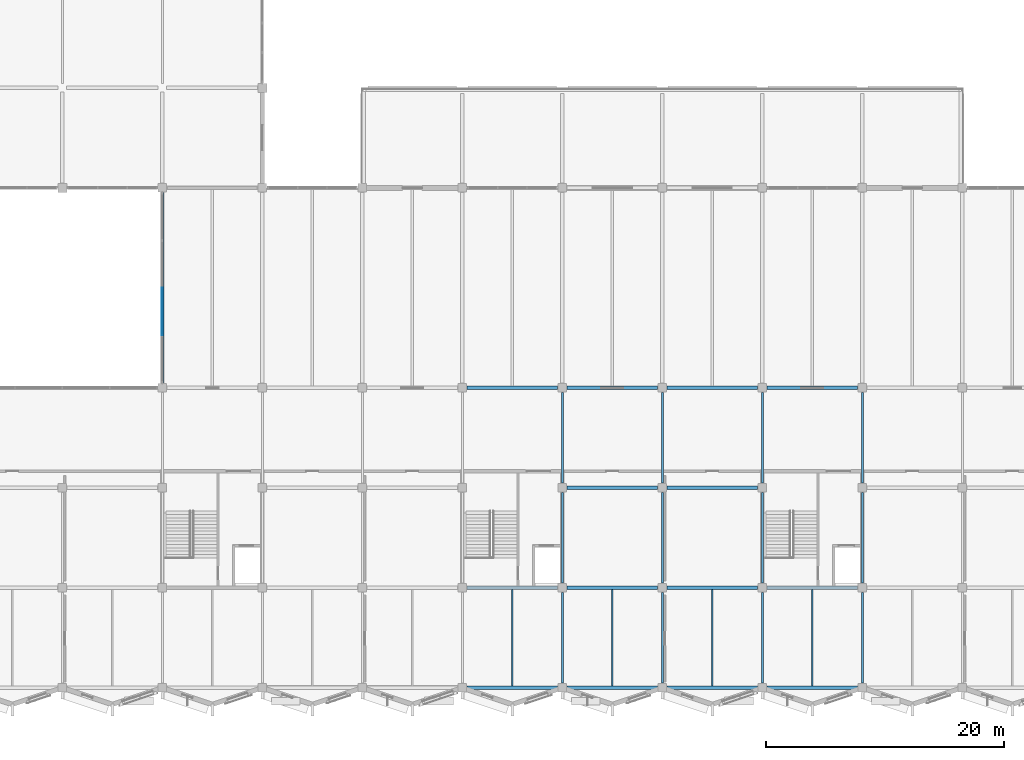
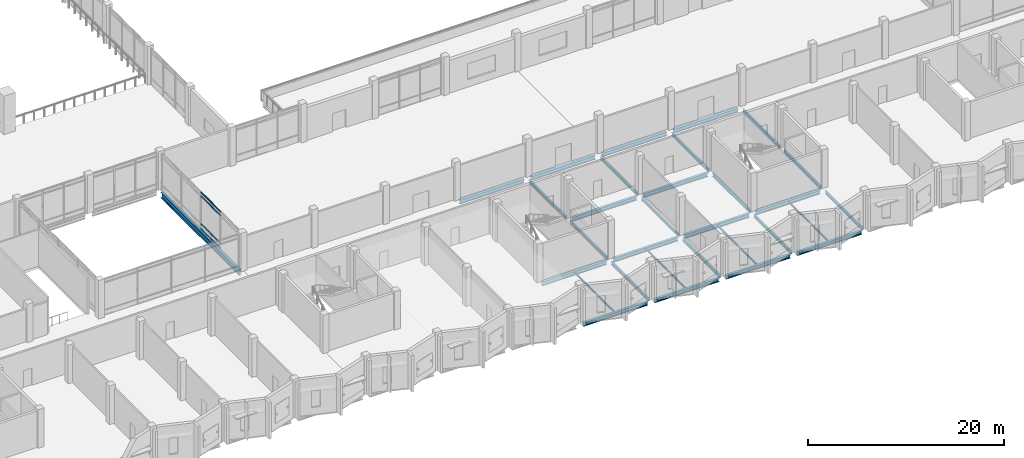
# One storey, part 8 of 110: 31 beams, 4 members, 1 element without a shape of its own.
"""IFC4 building model written with IfcOpenShell, lengths in metres."""

import ifcopenshell
import ifcopenshell.guid

model = None  # the IFC model being written
_history = None  # IfcOwnerHistory: only IFC2X3 demands one
_inside = {}  # id of a spatial element -> (the spatial element, [elements in it])
_under = {}  # id of a project, library or spatial element -> (it, [spatial elements below it])
_declared = {}  # id of a project -> (the project, [libraries it declares])
_typed = {}  # id of a type object -> (the type object, [elements of that type])
_made_of = {}  # id of a material, layer set ... -> (it, [elements and type objects made of it])


def new_model(schema):
    """Start an empty IFC model of exactly this schema.

    Asked for "IFC4X3", IfcOpenShell would pick the latest addendum, in which some entities
    have other attributes; the version numbers below select the first issue.
    IFC2X3 requires an IfcOwnerHistory on every rooted entity: one is made here for all.
    """
    global model, _history
    if schema == "IFC4X3":
        model = ifcopenshell.file(schema_version=(4, 3, 0, 0))
    else:
        model = ifcopenshell.file(schema=schema)
    _inside.clear()
    _under.clear()
    _declared.clear()
    _typed.clear()
    _made_of.clear()
    _history = None
    if model.schema == "IFC2X3":
        org = make("IfcOrganization", Name="unknown")
        user = make(
            "IfcPersonAndOrganization",
            ThePerson=make("IfcPerson", FamilyName="unknown"),
            TheOrganization=org,
        )
        app = make(
            "IfcApplication",
            ApplicationDeveloper=org,
            Version="unknown",
            ApplicationFullName="unknown",
            ApplicationIdentifier="unknown",
        )
        _history = make(
            "IfcOwnerHistory",
            OwningUser=user,
            OwningApplication=app,
            ChangeAction="ADDED",
            CreationDate=0,
        )
    return model


def make(cls, **values):
    """One entity of the class cls with the attributes given. An attribute that is None is left unset."""
    return model.create_entity(
        cls, **{name: value for name, value in values.items() if value is not None}
    )


def rooted(cls, **values):
    """An entity with a GlobalId (a new one), such as an element, a storey or a relation."""
    return make(cls, GlobalId=ifcopenshell.guid.new(), OwnerHistory=_history, **values)


def si_unit(unit_type, name, prefix=None):
    """IfcSIUnit, for example si_unit("LENGTHUNIT", "METRE", prefix="MILLI")."""
    return make("IfcSIUnit", UnitType=unit_type, Prefix=prefix, Name=name)


def assignment(units):
    """IfcUnitAssignment: the units of a project."""
    return None if units is None else make("IfcUnitAssignment", Units=units)


def point(xyz):
    """IfcCartesianPoint."""
    return None if xyz is None else make("IfcCartesianPoint", Coordinates=xyz)


def direction(xyz):
    """IfcDirection."""
    return None if xyz is None else make("IfcDirection", DirectionRatios=xyz)


def frame(location, z_axis=None, x_axis=None):
    """IfcAxis2Placement3D, a coordinate frame: its origin and axes. An axis left out is left unset."""
    return make(
        "IfcAxis2Placement3D",
        Location=point(location),
        Axis=direction(z_axis),
        RefDirection=direction(x_axis),
    )


def frame_2d(location, x_axis=None):
    """IfcAxis2Placement2D, a coordinate frame in the plane: its origin and x axis."""
    return make(
        "IfcAxis2Placement2D", Location=point(location), RefDirection=direction(x_axis)
    )


def origin():
    """The frame at (0, 0, 0) with its axes left unset."""
    return frame((0.0, 0.0, 0.0))


def origin_2d():
    """The frame at (0, 0) in the plane with its x axis left unset."""
    return frame_2d((0.0, 0.0))


def place(relative_to, where):
    """IfcLocalPlacement: puts the frame where relative to a parent placement (None: the world)."""
    return make(
        "IfcLocalPlacement", PlacementRelTo=relative_to, RelativePlacement=where
    )


def context(
    kind, dimensions, precision=None, world=None, true_north=None, identifier=None
):
    """IfcGeometricRepresentationContext, for example the 3D "Model" context."""
    return make(
        "IfcGeometricRepresentationContext",
        ContextIdentifier=identifier,
        ContextType=kind,
        CoordinateSpaceDimension=dimensions,
        Precision=precision,
        WorldCoordinateSystem=world,
        TrueNorth=true_north,
    )


def subcontext(parent, identifier, kind, view, scale=None):
    """IfcGeometricRepresentationSubContext, for example "Body" below "Model"."""
    return make(
        "IfcGeometricRepresentationSubContext",
        ContextIdentifier=identifier,
        ContextType=kind,
        ParentContext=parent,
        TargetScale=scale,
        TargetView=view,
    )


def project(units=None, contexts=None):
    """IfcProject with its units and contexts."""
    return rooted(
        "IfcProject",
        Name="project",
        RepresentationContexts=contexts,
        UnitsInContext=assignment(units),
    )


def spatial(cls, under=None, at=None, **own):
    """A site, building, storey or space (cls), placed at a placement, below another one or the project."""
    s = rooted(cls, ObjectPlacement=at, **own)
    if under is not None:
        _under.setdefault(under.id(), (under, []))[1].append(s)
    return s


def profile(cls, at=None, kind="AREA", **sizes):
    """A parametric profile (cls). Its sizes go by their IFC names, for example OverallWidth=200.0."""
    return make(cls, ProfileType=kind, Position=at, **sizes)


def rectangle(**sizes):
    """IfcRectangleProfileDef."""
    return profile("IfcRectangleProfileDef", **sizes)


def i_section(**sizes):
    """IfcIShapeProfileDef."""
    return profile("IfcIShapeProfileDef", **sizes)


def extrude(swept, where, along, depth):
    """IfcExtrudedAreaSolid: the profile swept, set in the frame where, extruded along a direction by depth."""
    return make(
        "IfcExtrudedAreaSolid",
        SweptArea=swept,
        Position=where,
        ExtrudedDirection=direction(along),
        Depth=depth,
    )


def shape(context_of_items, identifier, shape_type, items):
    """IfcShapeRepresentation: the items that make up one representation, for example the "Body"."""
    return make(
        "IfcShapeRepresentation",
        ContextOfItems=context_of_items,
        RepresentationIdentifier=identifier,
        RepresentationType=shape_type,
        Items=items,
    )


def material(Name=None, Category=None):
    """IfcMaterial."""
    return make("IfcMaterial", Name=Name, Category=Category)


def layer(
    of_material, thickness, ventilated=None, Name=None, Category=None, Priority=None
):
    """IfcMaterialLayer: one layer of a wall or slab, of a material (None: an air gap)."""
    return make(
        "IfcMaterialLayer",
        Material=of_material,
        LayerThickness=thickness,
        IsVentilated=ventilated,
        Name=Name,
        Category=Category,
        Priority=Priority,
    )


def layer_set(layers, Name=None):
    """IfcMaterialLayerSet."""
    return make("IfcMaterialLayerSet", MaterialLayers=layers, LayerSetName=Name)


def material_profile(
    of_material, cross_section, Name=None, Category=None, Priority=None
):
    """IfcMaterialProfile: a cross section and its material."""
    return make(
        "IfcMaterialProfile",
        Name=Name,
        Material=of_material,
        Profile=cross_section,
        Priority=Priority,
        Category=Category,
    )


def profile_set(profiles, Name=None, composite=None):
    """IfcMaterialProfileSet."""
    return make(
        "IfcMaterialProfileSet",
        Name=Name,
        MaterialProfiles=profiles,
        CompositeProfile=composite,
    )


def made_of(thing, what):
    """Note that an element or type object is made of a material, layer set ...; save() writes the relation."""
    if what is not None:
        _made_of.setdefault(what.id(), (what, []))[1].append(thing)
    return thing


def type_object(cls, material=None, **own):
    """A type object (cls), such as IfcWallType, which elements share."""
    return made_of(rooted(cls, **own), material)


def element(
    cls,
    number,
    at=None,
    inside=None,
    cuts=None,
    type_object=None,
    material=None,
    context=None,
    identifier="Body",
    shape_type=None,
    held_by="IfcProductDefinitionShape",
    body=None,
    shapes=None,
    **own,
):
    """One element of the class cls, such as IfcWall. Its Tag is "e" and its number.

    at: its placement. inside: the storey or other place that contains it. cuts: it is an
    opening in that element (IfcRelVoidsElement). A single representation is given by context,
    identifier, shape_type and body (its items); several are given by shapes. held_by: the class
    of the entity that holds the representations. save() writes the other relations.
    """
    e = rooted(cls, Tag="e%d" % number, ObjectPlacement=at, **own)
    if body is not None:
        shapes = [shape(context, identifier, shape_type, body)]
    if shapes is not None:
        e.Representation = make(held_by, Representations=shapes)
    if inside is not None:
        _inside.setdefault(inside.id(), (inside, []))[1].append(e)
    if cuts is not None:
        rooted(
            "IfcRelVoidsElement", RelatingBuildingElement=cuts, RelatedOpeningElement=e
        )
    if type_object is not None:
        _typed.setdefault(type_object.id(), (type_object, []))[1].append(e)
    return made_of(e, material)


def aggregate(whole, parts):
    """IfcRelAggregates: a whole, such as a stair, and the parts it consists of."""
    return rooted("IfcRelAggregates", RelatingObject=whole, RelatedObjects=parts)


def save(model, path):
    """Write the relations noted so far, then the file.

    IfcRelAggregates (storeys below a building ...), IfcRelContainedInSpatialStructure (elements
    in a storey), IfcRelDefinesByType, IfcRelAssociatesMaterial and IfcRelDeclares: one each for
    every whole, place, type object, material and project.
    """
    for whole, parts in _under.values():
        aggregate(whole, parts)
    for where, things in _inside.values():
        rooted(
            "IfcRelContainedInSpatialStructure",
            RelatedElements=things,
            RelatingStructure=where,
        )
    for kind, things in _typed.values():
        rooted("IfcRelDefinesByType", RelatedObjects=things, RelatingType=kind)
    for what, things in _made_of.values():
        rooted("IfcRelAssociatesMaterial", RelatedObjects=things, RelatingMaterial=what)
    for by, libraries in _declared.values():
        rooted("IfcRelDeclares", RelatingContext=by, RelatedDefinitions=libraries)
    model.write(path)


model = new_model("IFC4")

# Units and contexts
model_context = context("Model", 3, precision=1e-05, world=origin(), true_north=direction((0.0, 1.0)))
body_context = subcontext(model_context, "Body", "Model", "MODEL_VIEW")
ifc_project = project(units=[si_unit("LENGTHUNIT", "METRE"), si_unit("AREAUNIT", "SQUARE_METRE"), si_unit("VOLUMEUNIT", "CUBIC_METRE"), si_unit("PLANEANGLEUNIT", "RADIAN"), si_unit("MASSUNIT", "GRAM", prefix="KILO")], contexts=[model_context])

# Site, building, storey
site_placement = place(None, origin())
site = spatial("IfcSite", under=ifc_project, at=site_placement, CompositionType="ELEMENT")
building_placement = place(site_placement, origin())
building = spatial("IfcBuilding", under=site, at=building_placement, Name="Qawsi Khor Wholesale Market", CompositionType="ELEMENT")
storey_placement = place(building_placement, frame((0.0, 0.0, 11.39990234375)))
storey = spatial("IfcBuildingStorey", under=building, at=storey_placement, Name="L02", CompositionType="ELEMENT", Elevation=11.39990234375)

# Curtain wall, members
ifc_material_1 = material(Name="Aluminium Anodised Bronze", Category="aluminium")
ifc_layer = layer(ifc_material_1, 0.179931640625, Name="Aluminium Anodised Bronze")
ifc_layer_set = layer_set([ifc_layer], Name="Aluminium Anodised Bronze")
curtain_wall_type = type_object("IfcCurtainWallType", Name="Atrium Full-Height Curtain Wall CW-02", PredefinedType="NOTDEFINED", material=ifc_layer_set)
curtain_wall_placement = place(storey_placement, origin())
curtain_wall = element("IfcCurtainWall", 1, at=curtain_wall_placement, inside=storey, type_object=curtain_wall_type, Name="Curtain wall CW-CW-02-L02-025", PredefinedType="NOTDEFINED")
ifc_material_profile_1 = material_profile(ifc_material_1, rectangle(XDim=0.06494140625, YDim=0.139892578125, at=origin_2d()), Name="ALU TRANSOM 65x140")
ifc_profile_set_1 = profile_set([ifc_material_profile_1], Name="Aluminium Anodised Bronze")
member_type = type_object("IfcMemberType", Name="Curtain Wall Transom CW-02 ALU TRANSOM 65x140", PredefinedType="USERDEFINED", material=ifc_profile_set_1)
member_1_placement = place(storey_placement, frame((67.199951171875, 29.62255859375, 0.0), z_axis=(0.0, 1.0, 0.0), x_axis=(-1.0, 0.0, 0.0)))
member_1 = element("IfcMember", 2, at=member_1_placement, type_object=member_type, Name="Transom CW-CW-02-L02-025-T0_01", ObjectType="TRANSOM", PredefinedType="USERDEFINED", context=body_context, shape_type="SweptSolid", body=[
    extrude(rectangle(XDim=0.06494140625, YDim=0.139892578125, at=origin_2d()), origin(), (0.0, 0.0, 1.0), 3.9775390625),
])
member_2_placement = place(storey_placement, frame((67.199951171875, 29.62255859375, 0.60009765625), z_axis=(0.0, 1.0, 0.0), x_axis=(-1.0, 0.0, 0.0)))
member_2 = element("IfcMember", 3, at=member_2_placement, type_object=member_type, Name="Transom CW-CW-02-L02-025-T1_01", ObjectType="TRANSOM", PredefinedType="USERDEFINED", context=body_context, shape_type="SweptSolid", body=[
    extrude(rectangle(XDim=0.06494140625, YDim=0.139892578125, at=origin_2d()), origin(), (0.0, 0.0, 1.0), 3.9775390625),
])
member_3_placement = place(storey_placement, frame((67.199951171875, 29.62255859375, 4.070068359375), z_axis=(0.0, 1.0, 0.0), x_axis=(-1.0, 0.0, 0.0)))
member_3 = element("IfcMember", 4, at=member_3_placement, type_object=member_type, Name="Transom CW-CW-02-L02-025-T2_01", ObjectType="TRANSOM", PredefinedType="USERDEFINED", context=body_context, shape_type="SweptSolid", body=[
    extrude(rectangle(XDim=0.06494140625, YDim=0.139892578125, at=origin_2d()), origin(), (0.0, 0.0, 1.0), 3.9775390625),
])
member_4_placement = place(storey_placement, frame((67.199951171875, 29.62255859375, 4.52001953125), z_axis=(0.0, 1.0, 0.0), x_axis=(-1.0, 0.0, 0.0)))
member_4 = element("IfcMember", 5, at=member_4_placement, type_object=member_type, Name="Transom CW-CW-02-L02-025-T3_01", ObjectType="TRANSOM", PredefinedType="USERDEFINED", context=body_context, shape_type="SweptSolid", body=[
    extrude(rectangle(XDim=0.06494140625, YDim=0.139892578125, at=origin_2d()), origin(), (0.0, 0.0, 1.0), 3.9775390625),
])
aggregate(curtain_wall, [member_1, member_2, member_3, member_4])

# Beams
ifc_material_2 = material(Name="Steel S355", Category="steel")
ifc_material_profile_2 = material_profile(ifc_material_2, i_section(OverallWidth=0.300048828125, OverallDepth=0.449951171875, WebThickness=0.013916015625, FlangeThickness=0.02587890625, FilletRadius=0.027099609375, at=origin_2d()), Name="HEB 450")
ifc_profile_set_2 = profile_set([ifc_material_profile_2], Name="Steel S355")
beam_type_1 = type_object("IfcBeamType", Name="Heavy Edge Girder HEB 450", PredefinedType="BEAM", material=ifc_profile_set_2)
beam_1_placement = place(storey_placement, frame((92.800048828125, 0.0, -0.5048828125), z_axis=(1.0, 0.0, 0.0), x_axis=(0.0, 1.0, 0.0)))
element("IfcBeam", 6, at=beam_1_placement, inside=storey, type_object=beam_type_1, Name="BM-X-L02-11_+00", PredefinedType="BEAM", context=body_context, shape_type="SweptSolid", body=[
    extrude(i_section(OverallWidth=0.300048828125, OverallDepth=0.449951171875, WebThickness=0.013916015625, FlangeThickness=0.02587890625, FilletRadius=0.027099609375, at=origin_2d()), origin(), (0.0, 0.0, 1.0), 7.599853515625),
])
beam_2_placement = place(storey_placement, frame((101.199951171875, 0.0, -0.5048828125), z_axis=(1.0, 0.0, 0.0), x_axis=(0.0, 1.0, 0.0)))
element("IfcBeam", 7, at=beam_2_placement, inside=storey, type_object=beam_type_1, Name="BM-X-L02-12_+00", PredefinedType="BEAM", context=body_context, shape_type="SweptSolid", body=[
    extrude(i_section(OverallWidth=0.300048828125, OverallDepth=0.449951171875, WebThickness=0.013916015625, FlangeThickness=0.02587890625, FilletRadius=0.027099609375, at=origin_2d()), origin(), (0.0, 0.0, 1.0), 7.60009765625),
])
beam_3_placement = place(storey_placement, frame((109.60009765625, 0.0, -0.5048828125), z_axis=(1.0, 0.0, 0.0), x_axis=(0.0, 1.0, 0.0)))
element("IfcBeam", 8, at=beam_3_placement, inside=storey, type_object=beam_type_1, Name="BM-X-L02-13_+00", PredefinedType="BEAM", context=body_context, shape_type="SweptSolid", body=[
    extrude(i_section(OverallWidth=0.300048828125, OverallDepth=0.449951171875, WebThickness=0.013916015625, FlangeThickness=0.02587890625, FilletRadius=0.027099609375, at=origin_2d()), origin(), (0.0, 0.0, 1.0), 7.599853515625),
])
beam_4_placement = place(storey_placement, frame((118.0, 0.0, -0.5048828125), z_axis=(1.0, 0.0, 0.0), x_axis=(0.0, 1.0, 0.0)))
element("IfcBeam", 9, at=beam_4_placement, inside=storey, type_object=beam_type_1, Name="BM-X-L02-14_+00", PredefinedType="BEAM", context=body_context, shape_type="SweptSolid", body=[
    extrude(i_section(OverallWidth=0.300048828125, OverallDepth=0.449951171875, WebThickness=0.013916015625, FlangeThickness=0.02587890625, FilletRadius=0.027099609375, at=origin_2d()), origin(), (0.0, 0.0, 1.0), 7.60009765625),
])
ifc_material_profile_3 = material_profile(ifc_material_2, i_section(OverallWidth=0.300048828125, OverallDepth=0.489990234375, WebThickness=0.011962890625, FlangeThickness=0.02294921875, FilletRadius=0.027099609375, at=origin_2d()), Name="HEA 500")
ifc_profile_set_3 = profile_set([ifc_material_profile_3], Name="Steel S355")
beam_type_2 = type_object("IfcBeamType", Name="Primary Girder HEA 500", PredefinedType="BEAM", material=ifc_profile_set_3)
for number, where, z_axis, x_axis, name in (
    (10, (92.800048828125, 8.39990234375, -0.52490234375), (1.0, 0.0, 0.0), (0.0, 1.0, 0.0), "BM-X-L02-11_+01"),
    (11, (92.800048828125, 25.199951171875, -0.52490234375), (1.0, 0.0, 0.0), (0.0, 1.0, 0.0), "BM-X-L02-11_+03"),
):
    element("IfcBeam", number, at=place(storey_placement, frame(where, z_axis=z_axis, x_axis=x_axis)), inside=storey, type_object=beam_type_2, Name=name, PredefinedType="BEAM", context=body_context, shape_type="SweptSolid", body=[
        extrude(i_section(OverallWidth=0.300048828125, OverallDepth=0.489990234375, WebThickness=0.011962890625, FlangeThickness=0.02294921875, FilletRadius=0.027099609375, at=origin_2d()), origin(), (0.0, 0.0, 1.0), 7.599853515625),
    ])
for number, where, z_axis, x_axis, name in (
    (12, (101.199951171875, 8.39990234375, -0.52490234375), (1.0, 0.0, 0.0), (0.0, 1.0, 0.0), "BM-X-L02-12_+01"),
    (13, (101.199951171875, 16.800048828125, -0.52490234375), (1.0, 0.0, 0.0), (0.0, 1.0, 0.0), "BM-X-L02-12_+02"),
    (14, (101.199951171875, 25.199951171875, -0.52490234375), (1.0, 0.0, 0.0), (0.0, 1.0, 0.0), "BM-X-L02-12_+03"),
):
    element("IfcBeam", number, at=place(storey_placement, frame(where, z_axis=z_axis, x_axis=x_axis)), inside=storey, type_object=beam_type_2, Name=name, PredefinedType="BEAM", context=body_context, shape_type="SweptSolid", body=[
        extrude(i_section(OverallWidth=0.300048828125, OverallDepth=0.489990234375, WebThickness=0.011962890625, FlangeThickness=0.02294921875, FilletRadius=0.027099609375, at=origin_2d()), origin(), (0.0, 0.0, 1.0), 7.60009765625),
    ])
for number, where, z_axis, x_axis, name in (
    (15, (109.60009765625, 8.39990234375, -0.52490234375), (1.0, 0.0, 0.0), (0.0, 1.0, 0.0), "BM-X-L02-13_+01"),
    (16, (109.60009765625, 16.800048828125, -0.52490234375), (1.0, 0.0, 0.0), (0.0, 1.0, 0.0), "BM-X-L02-13_+02"),
    (17, (109.60009765625, 25.199951171875, -0.52490234375), (1.0, 0.0, 0.0), (0.0, 1.0, 0.0), "BM-X-L02-13_+03"),
):
    element("IfcBeam", number, at=place(storey_placement, frame(where, z_axis=z_axis, x_axis=x_axis)), inside=storey, type_object=beam_type_2, Name=name, PredefinedType="BEAM", context=body_context, shape_type="SweptSolid", body=[
        extrude(i_section(OverallWidth=0.300048828125, OverallDepth=0.489990234375, WebThickness=0.011962890625, FlangeThickness=0.02294921875, FilletRadius=0.027099609375, at=origin_2d()), origin(), (0.0, 0.0, 1.0), 7.599853515625),
    ])
for number, where, z_axis, x_axis, name in (
    (18, (118.0, 8.39990234375, -0.52490234375), (1.0, 0.0, 0.0), (0.0, 1.0, 0.0), "BM-X-L02-14_+01"),
    (19, (118.0, 25.199951171875, -0.52490234375), (1.0, 0.0, 0.0), (0.0, 1.0, 0.0), "BM-X-L02-14_+03"),
):
    element("IfcBeam", number, at=place(storey_placement, frame(where, z_axis=z_axis, x_axis=x_axis)), inside=storey, type_object=beam_type_2, Name=name, PredefinedType="BEAM", context=body_context, shape_type="SweptSolid", body=[
        extrude(i_section(OverallWidth=0.300048828125, OverallDepth=0.489990234375, WebThickness=0.011962890625, FlangeThickness=0.02294921875, FilletRadius=0.027099609375, at=origin_2d()), origin(), (0.0, 0.0, 1.0), 7.60009765625),
    ])
ifc_material_profile_4 = material_profile(ifc_material_2, i_section(OverallWidth=0.300048828125, OverallDepth=0.68994140625, WebThickness=0.014404296875, FlangeThickness=0.027099609375, FilletRadius=0.027099609375, at=origin_2d()), Name="HEA 700")
ifc_profile_set_4 = profile_set([ifc_material_profile_4], Name="Steel S355")
beam_type_3 = type_object("IfcBeamType", Name="Primary Girder HEA 700", PredefinedType="BEAM", material=ifc_profile_set_4)
beam_5_placement = place(storey_placement, frame((67.199951171875, 25.60009765625, -0.625), z_axis=(0.0, 1.0, 0.0), x_axis=(-1.0, 0.0, 0.0)))
element("IfcBeam", 20, at=beam_5_placement, inside=storey, type_object=beam_type_3, Name="BM-YL-L02-08_+03", PredefinedType="BEAM", context=body_context, shape_type="SweptSolid", body=[
    extrude(i_section(OverallWidth=0.300048828125, OverallDepth=0.68994140625, WebThickness=0.014404296875, FlangeThickness=0.027099609375, FilletRadius=0.027099609375, at=origin_2d()), origin(), (0.0, 0.0, 1.0), 16.0),
])
ifc_material_profile_5 = material_profile(ifc_material_2, i_section(OverallWidth=0.179931640625, OverallDepth=0.39990234375, WebThickness=0.008544921875, FlangeThickness=0.013427734375, FilletRadius=0.02099609375, at=origin_2d()), Name="IPE 400")
ifc_profile_set_5 = profile_set([ifc_material_profile_5], Name="Steel S355")
beam_type_4 = type_object("IfcBeamType", Name="Secondary Beam IPE 400", PredefinedType="BEAM", material=ifc_profile_set_5)
beam_6_placement = place(storey_placement, frame((100.800048828125, 0.39990234375, -0.47998046875), z_axis=(0.0, 1.0, 0.0), x_axis=(-1.0, 0.0, 0.0)))
element("IfcBeam", 21, at=beam_6_placement, inside=storey, type_object=beam_type_4, Name="BM-Y-L02-12_+00", PredefinedType="BEAM", context=body_context, shape_type="SweptSolid", body=[
    extrude(i_section(OverallWidth=0.179931640625, OverallDepth=0.39990234375, WebThickness=0.008544921875, FlangeThickness=0.013427734375, FilletRadius=0.02099609375, at=origin_2d()), origin(), (0.0, 0.0, 1.0), 7.60009765625),
])
beam_7_placement = place(storey_placement, frame((100.800048828125, 8.800048828125, -0.47998046875), z_axis=(0.0, 1.0, 0.0), x_axis=(-1.0, 0.0, 0.0)))
element("IfcBeam", 22, at=beam_7_placement, inside=storey, type_object=beam_type_4, Name="BM-Y-L02-12_+01", PredefinedType="BEAM", context=body_context, shape_type="SweptSolid", body=[
    extrude(i_section(OverallWidth=0.179931640625, OverallDepth=0.39990234375, WebThickness=0.008544921875, FlangeThickness=0.013427734375, FilletRadius=0.02099609375, at=origin_2d()), origin(), (0.0, 0.0, 1.0), 7.599853515625),
])
for number, where, z_axis, x_axis, name in (
    (23, (100.800048828125, 17.199951171875, -0.47998046875), (0.0, 1.0, 0.0), (-1.0, 0.0, 0.0), "BM-Y-L02-12_+02"),
    (24, (109.199951171875, 0.39990234375, -0.47998046875), (0.0, 1.0, 0.0), (-1.0, 0.0, 0.0), "BM-Y-L02-13_+00"),
):
    element("IfcBeam", number, at=place(storey_placement, frame(where, z_axis=z_axis, x_axis=x_axis)), inside=storey, type_object=beam_type_4, Name=name, PredefinedType="BEAM", context=body_context, shape_type="SweptSolid", body=[
        extrude(i_section(OverallWidth=0.179931640625, OverallDepth=0.39990234375, WebThickness=0.008544921875, FlangeThickness=0.013427734375, FilletRadius=0.02099609375, at=origin_2d()), origin(), (0.0, 0.0, 1.0), 7.60009765625),
    ])
beam_8_placement = place(storey_placement, frame((109.199951171875, 8.800048828125, -0.47998046875), z_axis=(0.0, 1.0, 0.0), x_axis=(-1.0, 0.0, 0.0)))
element("IfcBeam", 25, at=beam_8_placement, inside=storey, type_object=beam_type_4, Name="BM-Y-L02-13_+01", PredefinedType="BEAM", context=body_context, shape_type="SweptSolid", body=[
    extrude(i_section(OverallWidth=0.179931640625, OverallDepth=0.39990234375, WebThickness=0.008544921875, FlangeThickness=0.013427734375, FilletRadius=0.02099609375, at=origin_2d()), origin(), (0.0, 0.0, 1.0), 7.599853515625),
])
for number, where, z_axis, x_axis, name in (
    (26, (109.199951171875, 17.199951171875, -0.47998046875), (0.0, 1.0, 0.0), (-1.0, 0.0, 0.0), "BM-Y-L02-13_+02"),
    (27, (117.60009765625, 0.39990234375, -0.47998046875), (0.0, 1.0, 0.0), (-1.0, 0.0, 0.0), "BM-Y-L02-14_+00"),
):
    element("IfcBeam", number, at=place(storey_placement, frame(where, z_axis=z_axis, x_axis=x_axis)), inside=storey, type_object=beam_type_4, Name=name, PredefinedType="BEAM", context=body_context, shape_type="SweptSolid", body=[
        extrude(i_section(OverallWidth=0.179931640625, OverallDepth=0.39990234375, WebThickness=0.008544921875, FlangeThickness=0.013427734375, FilletRadius=0.02099609375, at=origin_2d()), origin(), (0.0, 0.0, 1.0), 7.60009765625),
    ])
beam_9_placement = place(storey_placement, frame((117.60009765625, 8.800048828125, -0.47998046875), z_axis=(0.0, 1.0, 0.0), x_axis=(-1.0, 0.0, 0.0)))
element("IfcBeam", 28, at=beam_9_placement, inside=storey, type_object=beam_type_4, Name="BM-Y-L02-14_+01", PredefinedType="BEAM", context=body_context, shape_type="SweptSolid", body=[
    extrude(i_section(OverallWidth=0.179931640625, OverallDepth=0.39990234375, WebThickness=0.008544921875, FlangeThickness=0.013427734375, FilletRadius=0.02099609375, at=origin_2d()), origin(), (0.0, 0.0, 1.0), 7.599853515625),
])
for number, where, z_axis, x_axis, name in (
    (29, (117.60009765625, 17.199951171875, -0.47998046875), (0.0, 1.0, 0.0), (-1.0, 0.0, 0.0), "BM-Y-L02-14_+02"),
    (30, (126.0, 0.39990234375, -0.47998046875), (0.0, 1.0, 0.0), (-1.0, 0.0, 0.0), "BM-Y-L02-15_+00"),
):
    element("IfcBeam", number, at=place(storey_placement, frame(where, z_axis=z_axis, x_axis=x_axis)), inside=storey, type_object=beam_type_4, Name=name, PredefinedType="BEAM", context=body_context, shape_type="SweptSolid", body=[
        extrude(i_section(OverallWidth=0.179931640625, OverallDepth=0.39990234375, WebThickness=0.008544921875, FlangeThickness=0.013427734375, FilletRadius=0.02099609375, at=origin_2d()), origin(), (0.0, 0.0, 1.0), 7.60009765625),
    ])
beam_10_placement = place(storey_placement, frame((126.0, 8.800048828125, -0.47998046875), z_axis=(0.0, 1.0, 0.0), x_axis=(-1.0, 0.0, 0.0)))
element("IfcBeam", 31, at=beam_10_placement, inside=storey, type_object=beam_type_4, Name="BM-Y-L02-15_+01", PredefinedType="BEAM", context=body_context, shape_type="SweptSolid", body=[
    extrude(i_section(OverallWidth=0.179931640625, OverallDepth=0.39990234375, WebThickness=0.008544921875, FlangeThickness=0.013427734375, FilletRadius=0.02099609375, at=origin_2d()), origin(), (0.0, 0.0, 1.0), 7.599853515625),
])
beam_11_placement = place(storey_placement, frame((126.0, 17.199951171875, -0.47998046875), z_axis=(0.0, 1.0, 0.0), x_axis=(-1.0, 0.0, 0.0)))
element("IfcBeam", 32, at=beam_11_placement, inside=storey, type_object=beam_type_4, Name="BM-Y-L02-15_+02", PredefinedType="BEAM", context=body_context, shape_type="SweptSolid", body=[
    extrude(i_section(OverallWidth=0.179931640625, OverallDepth=0.39990234375, WebThickness=0.008544921875, FlangeThickness=0.013427734375, FilletRadius=0.02099609375, at=origin_2d()), origin(), (0.0, 0.0, 1.0), 7.60009765625),
])
ifc_material_profile_6 = material_profile(ifc_material_2, i_section(OverallWidth=0.110107421875, OverallDepth=0.219970703125, WebThickness=0.005859375, FlangeThickness=0.00927734375, FilletRadius=0.011962890625, at=origin_2d()), Name="IPE 220")
ifc_profile_set_6 = profile_set([ifc_material_profile_6], Name="Steel S355")
beam_type_5 = type_object("IfcBeamType", Name="Terrace Joist IPE 220", PredefinedType="JOIST", material=ifc_profile_set_6)
for number, where, z_axis, x_axis, name in (
    (33, (96.60009765625, 0.14990234375, -0.389892578125), (0.0, 1.0, 0.0), (-1.0, 0.0, 0.0), "JST-S-L02-11"),
    (34, (105.0, 0.14990234375, -0.389892578125), (0.0, 1.0, 0.0), (-1.0, 0.0, 0.0), "JST-S-L02-12"),
    (35, (113.39990234375, 0.14990234375, -0.389892578125), (0.0, 1.0, 0.0), (-1.0, 0.0, 0.0), "JST-S-L02-13"),
    (36, (121.800048828125, 0.14990234375, -0.389892578125), (0.0, 1.0, 0.0), (-1.0, 0.0, 0.0), "JST-S-L02-14"),
):
    element("IfcBeam", number, at=place(storey_placement, frame(where, z_axis=z_axis, x_axis=x_axis)), inside=storey, type_object=beam_type_5, Name=name, PredefinedType="JOIST", context=body_context, shape_type="SweptSolid", body=[
        extrude(i_section(OverallWidth=0.110107421875, OverallDepth=0.219970703125, WebThickness=0.005859375, FlangeThickness=0.00927734375, FilletRadius=0.011962890625, at=origin_2d()), origin(), (0.0, 0.0, 1.0), 8.10009765625),
    ])

save(model, "model.ifc")
